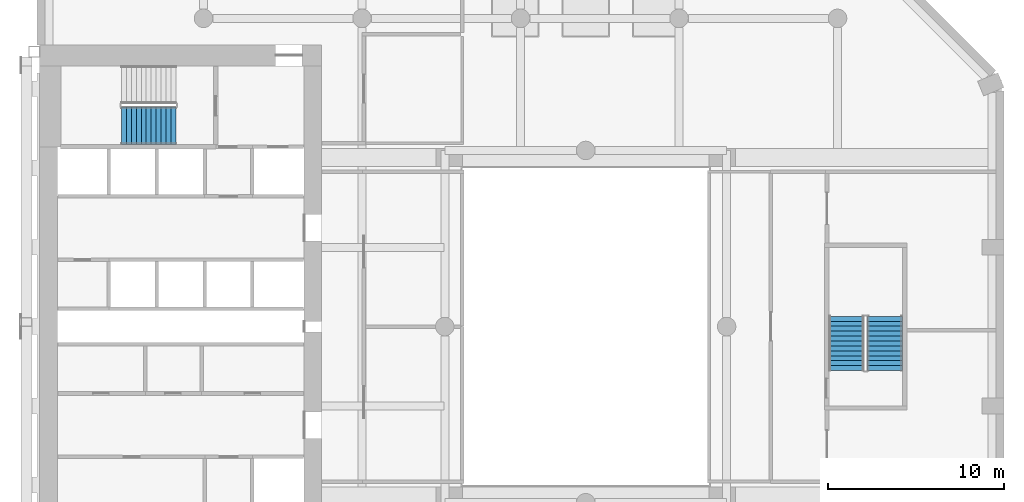
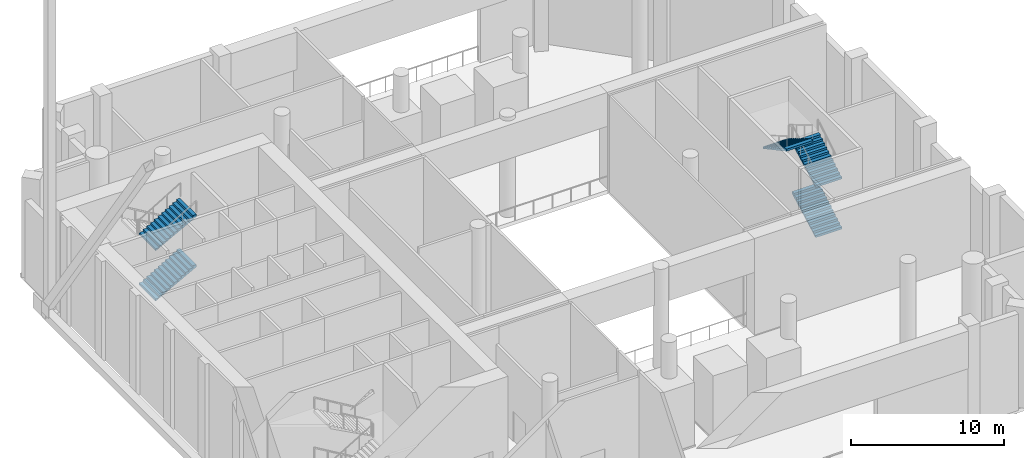
# One storey, part 9 of 14: 5 stair flights, 2 elements without a shape of their own.
"""IFC4 building model written with IfcOpenShell, lengths in metres."""

from ifc_helpers import new_model, si_unit, direction, frame, origin, place, context, subcontext, project, spatial, triangles, material, type_object, element, aggregate, save


model = new_model("IFC4")

# Units and contexts
model_context = context("Model", 3, precision=1e-05, world=origin(), true_north=direction((0.0, 1.0)))
body_context = subcontext(model_context, "Body", "Model", "MODEL_VIEW")
ifc_project = project(units=[si_unit("LENGTHUNIT", "METRE"), si_unit("AREAUNIT", "SQUARE_METRE"), si_unit("VOLUMEUNIT", "CUBIC_METRE"), si_unit("PLANEANGLEUNIT", "RADIAN"), si_unit("MASSUNIT", "GRAM", prefix="KILO")], contexts=[model_context])

# Site, building, storey
site_placement = place(None, origin())
site = spatial("IfcSite", under=ifc_project, at=site_placement, CompositionType="ELEMENT")
building_placement = place(site_placement, origin())
building = spatial("IfcBuilding", under=site, at=building_placement, Name="Cypress Arch Tower", CompositionType="ELEMENT")
storey_placement = place(building_placement, frame((0.0, 0.0, 152.5)))
storey = spatial("IfcBuildingStorey", under=building, at=storey_placement, Name="L33", CompositionType="ELEMENT", Elevation=152.5)

# Stair, stair flights
ifc_material_1 = material(Name="Concrete C40/50", Category="concrete")
stair_type_1 = type_object("IfcStairType", Name="Exit stair ES1667-200", PredefinedType="HALF_TURN_STAIR", material=ifc_material_1)
stair_1_placement = place(storey_placement, origin())
stair_1 = element("IfcStair", 1, at=stair_1_placement, inside=storey, type_object=stair_type_1, Name="L33 Exit stair C", PredefinedType="HALF_TURN_STAIR")
ifc_material_2 = material(Name="Concrete C40/50", Category="concrete")
stair_flight_type_1 = type_object("IfcStairFlightType", Name="Exit stair flight ES1667-200", PredefinedType="STRAIGHT", material=ifc_material_2)
stair_flight_1_placement = place(storey_placement, frame((18.0, -2.5, 0.0), z_axis=(0.0, 0.0, 1.0), x_axis=(0.0, 1.0, 0.0)))
stair_flight_1 = element("IfcStairFlight", 2, at=stair_flight_1_placement, type_object=stair_flight_type_1, Name="C flight 1", NumberOfRisers=12, NumberOfTreads=11, PredefinedType="STRAIGHT", RiserHeight=0.166666667, TreadLength=0.28, context=body_context, shape_type="Tessellation", body=[
    triangles([(0.0, -1.0, 0.0), (0.0, -1.0, 0.166748046875), (0.280029296875, -1.0, 0.166748046875), (0.280029296875, -1.0, 0.333251953125), (0.56005859375, -1.0, 0.333251953125), (0.56005859375, -1.0, 0.5), (0.840087890625, -1.0, 0.5), (0.840087890625, -1.0, 0.666748046875), (1.1201171875, -1.0, 0.666748046875), (1.1201171875, -1.0, 0.833251953125), (1.39990234375, -1.0, 0.833251953125), (1.39990234375, -1.0, 1.0), (1.679931640625, -1.0, 1.0), (1.679931640625, -1.0, 1.166748046875), (1.9599609375, -1.0, 1.166748046875), (1.9599609375, -1.0, 1.333251953125), (2.239990234375, -1.0, 1.333251953125), (2.239990234375, -1.0, 1.5), (2.52001953125, -1.0, 1.5), (2.52001953125, -1.0, 1.666748046875), (2.800048828125, -1.0, 1.666748046875), (2.800048828125, -1.0, 1.833251953125), (3.080078125, -1.0, 1.833251953125), (3.080078125, -1.0, 1.658935546875), (3.080078125, 1.0, 1.658935546875), (3.080078125, 1.0, 1.833251953125), (2.800048828125, 1.0, 1.833251953125), (2.800048828125, 1.0, 1.666748046875), (2.52001953125, 1.0, 1.666748046875), (2.52001953125, 1.0, 1.5), (2.239990234375, 1.0, 1.5), (2.239990234375, 1.0, 1.333251953125), (1.9599609375, 1.0, 1.333251953125), (1.9599609375, 1.0, 1.166748046875), (1.679931640625, 1.0, 1.166748046875), (1.679931640625, 1.0, 1.0), (1.39990234375, 1.0, 1.0), (1.39990234375, 1.0, 0.833251953125), (1.1201171875, 1.0, 0.833251953125), (1.1201171875, 1.0, 0.666748046875), (0.840087890625, 1.0, 0.666748046875), (0.840087890625, 1.0, 0.5), (0.56005859375, 1.0, 0.5), (0.56005859375, 1.0, 0.333251953125), (0.280029296875, 1.0, 0.333251953125), (0.280029296875, 1.0, 0.166748046875), (0.0, 1.0, 0.166748046875), (0.0, 1.0, 0.0), (3.080078125, 0.0, 1.833251953125), (3.080078125, 0.0, 1.658935546875), (2.800048828125, 0.0, 1.833251953125), (2.800048828125, 0.0, 1.666748046875), (2.52001953125, 0.0, 1.666748046875), (2.52001953125, 0.0, 1.5), (2.239990234375, 0.0, 1.5), (2.239990234375, 0.0, 1.333251953125), (1.9599609375, 0.0, 1.333251953125), (1.9599609375, 0.0, 1.166748046875), (1.679931640625, 0.0, 1.166748046875), (1.679931640625, 0.0, 1.0), (1.39990234375, 0.0, 1.0), (1.39990234375, 0.0, 0.833251953125), (1.1201171875, 0.0, 0.833251953125), (1.1201171875, 0.0, 0.666748046875), (0.840087890625, 0.0, 0.666748046875), (0.840087890625, 0.0, 0.5), (0.56005859375, 0.0, 0.5), (0.56005859375, 0.0, 0.333251953125), (0.280029296875, 0.0, 0.333251953125), (0.280029296875, 0.0, 0.166748046875), (0.0, 0.0, 0.166748046875), (0.0, 0.0, 0.0)], [[24, 23, 22], [21, 20, 19], [19, 18, 17], [15, 14, 13], [13, 12, 11], [9, 8, 7], [7, 6, 5], [3, 2, 1], [11, 10, 9], [17, 16, 15], [5, 4, 3], [24, 22, 21], [24, 21, 19], [24, 19, 17], [24, 17, 15], [24, 15, 13], [24, 13, 11], [24, 11, 9], [24, 9, 7], [24, 7, 5], [1, 24, 5], [5, 3, 1], [25, 27, 26], [28, 30, 29], [30, 32, 31], [34, 36, 35], [36, 38, 37], [40, 42, 41], [42, 44, 43], [46, 48, 47], [38, 40, 39], [32, 34, 33], [44, 46, 45], [25, 28, 27], [25, 30, 28], [25, 32, 30], [25, 34, 32], [25, 36, 34], [25, 38, 36], [25, 40, 38], [25, 42, 40], [25, 44, 42], [48, 44, 25], [44, 48, 46], [50, 49, 23], [50, 23, 24], [25, 26, 49], [25, 49, 50], [49, 51, 22], [49, 22, 23], [26, 27, 51], [26, 51, 49], [51, 52, 21], [51, 21, 22], [27, 28, 52], [27, 52, 51], [52, 53, 20], [52, 20, 21], [28, 29, 53], [28, 53, 52], [53, 54, 19], [53, 19, 20], [29, 30, 54], [29, 54, 53], [54, 55, 18], [54, 18, 19], [30, 31, 55], [30, 55, 54], [55, 56, 17], [55, 17, 18], [31, 32, 56], [31, 56, 55], [56, 57, 16], [56, 16, 17], [32, 33, 57], [32, 57, 56], [57, 58, 15], [57, 15, 16], [33, 34, 58], [33, 58, 57], [58, 59, 14], [58, 14, 15], [34, 35, 59], [34, 59, 58], [59, 60, 13], [59, 13, 14], [35, 36, 60], [35, 60, 59], [60, 61, 12], [60, 12, 13], [36, 37, 61], [36, 61, 60], [61, 62, 11], [61, 11, 12], [37, 38, 62], [37, 62, 61], [62, 63, 10], [62, 10, 11], [38, 39, 63], [38, 63, 62], [63, 64, 9], [63, 9, 10], [39, 40, 64], [39, 64, 63], [64, 65, 8], [64, 8, 9], [40, 41, 65], [40, 65, 64], [65, 66, 7], [65, 7, 8], [41, 42, 66], [41, 66, 65], [66, 67, 6], [66, 6, 7], [42, 43, 67], [42, 67, 66], [67, 68, 5], [67, 5, 6], [43, 44, 68], [43, 68, 67], [68, 69, 4], [68, 4, 5], [44, 45, 69], [44, 69, 68], [69, 70, 3], [69, 3, 4], [45, 46, 70], [45, 70, 69], [70, 71, 2], [70, 2, 3], [46, 47, 71], [46, 71, 70], [71, 72, 1], [71, 1, 2], [47, 48, 72], [47, 72, 71], [72, 50, 24], [72, 24, 1], [48, 25, 50], [48, 50, 72]], closed=True),
])
stair_flight_2_placement = place(storey_placement, frame((18.0, -2.5, 4.0), z_axis=(0.0, 0.0, 1.0), x_axis=(0.0, 1.0, 0.0)))
stair_flight_2 = element("IfcStairFlight", 3, at=stair_flight_2_placement, type_object=stair_flight_type_1, Name="C flight 3", NumberOfRisers=12, NumberOfTreads=11, PredefinedType="STRAIGHT", RiserHeight=0.166666667, TreadLength=0.28, context=body_context, shape_type="Tessellation", body=[
    triangles([(0.0, -1.0, 0.0), (0.0, -1.0, 0.166748046875), (0.280029296875, -1.0, 0.166748046875), (0.280029296875, -1.0, 0.333251953125), (0.56005859375, -1.0, 0.333251953125), (0.56005859375, -1.0, 0.5), (0.840087890625, -1.0, 0.5), (0.840087890625, -1.0, 0.666748046875), (1.1201171875, -1.0, 0.666748046875), (1.1201171875, -1.0, 0.833251953125), (1.39990234375, -1.0, 0.833251953125), (1.39990234375, -1.0, 1.0), (1.679931640625, -1.0, 1.0), (1.679931640625, -1.0, 1.166748046875), (1.9599609375, -1.0, 1.166748046875), (1.9599609375, -1.0, 1.333251953125), (2.239990234375, -1.0, 1.333251953125), (2.239990234375, -1.0, 1.5), (2.52001953125, -1.0, 1.5), (2.52001953125, -1.0, 1.666748046875), (2.800048828125, -1.0, 1.666748046875), (2.800048828125, -1.0, 1.833251953125), (3.080078125, -1.0, 1.833251953125), (3.080078125, -1.0, 1.658935546875), (3.080078125, 1.0, 1.658935546875), (3.080078125, 1.0, 1.833251953125), (2.800048828125, 1.0, 1.833251953125), (2.800048828125, 1.0, 1.666748046875), (2.52001953125, 1.0, 1.666748046875), (2.52001953125, 1.0, 1.5), (2.239990234375, 1.0, 1.5), (2.239990234375, 1.0, 1.333251953125), (1.9599609375, 1.0, 1.333251953125), (1.9599609375, 1.0, 1.166748046875), (1.679931640625, 1.0, 1.166748046875), (1.679931640625, 1.0, 1.0), (1.39990234375, 1.0, 1.0), (1.39990234375, 1.0, 0.833251953125), (1.1201171875, 1.0, 0.833251953125), (1.1201171875, 1.0, 0.666748046875), (0.840087890625, 1.0, 0.666748046875), (0.840087890625, 1.0, 0.5), (0.56005859375, 1.0, 0.5), (0.56005859375, 1.0, 0.333251953125), (0.280029296875, 1.0, 0.333251953125), (0.280029296875, 1.0, 0.166748046875), (0.0, 1.0, 0.166748046875), (0.0, 1.0, 0.0), (3.080078125, 0.0, 1.833251953125), (3.080078125, 0.0, 1.658935546875), (2.800048828125, 0.0, 1.833251953125), (2.800048828125, 0.0, 1.666748046875), (2.52001953125, 0.0, 1.666748046875), (2.52001953125, 0.0, 1.5), (2.239990234375, 0.0, 1.5), (2.239990234375, 0.0, 1.333251953125), (1.9599609375, 0.0, 1.333251953125), (1.9599609375, 0.0, 1.166748046875), (1.679931640625, 0.0, 1.166748046875), (1.679931640625, 0.0, 1.0), (1.39990234375, 0.0, 1.0), (1.39990234375, 0.0, 0.833251953125), (1.1201171875, 0.0, 0.833251953125), (1.1201171875, 0.0, 0.666748046875), (0.840087890625, 0.0, 0.666748046875), (0.840087890625, 0.0, 0.5), (0.56005859375, 0.0, 0.5), (0.56005859375, 0.0, 0.333251953125), (0.280029296875, 0.0, 0.333251953125), (0.280029296875, 0.0, 0.166748046875), (0.0, 0.0, 0.166748046875), (0.0, 0.0, 0.0)], [[24, 23, 22], [21, 20, 19], [19, 18, 17], [15, 14, 13], [13, 12, 11], [9, 8, 7], [7, 6, 5], [3, 2, 1], [11, 10, 9], [17, 16, 15], [5, 4, 3], [24, 22, 21], [24, 21, 19], [24, 19, 17], [24, 17, 15], [24, 15, 13], [24, 13, 11], [24, 11, 9], [24, 9, 7], [24, 7, 5], [1, 24, 5], [5, 3, 1], [25, 27, 26], [28, 30, 29], [30, 32, 31], [34, 36, 35], [36, 38, 37], [40, 42, 41], [42, 44, 43], [46, 48, 47], [38, 40, 39], [32, 34, 33], [44, 46, 45], [25, 28, 27], [25, 30, 28], [25, 32, 30], [25, 34, 32], [25, 36, 34], [25, 38, 36], [25, 40, 38], [25, 42, 40], [25, 44, 42], [48, 44, 25], [44, 48, 46], [50, 49, 23], [50, 23, 24], [25, 26, 49], [25, 49, 50], [49, 51, 22], [49, 22, 23], [26, 27, 51], [26, 51, 49], [51, 52, 21], [51, 21, 22], [27, 28, 52], [27, 52, 51], [52, 53, 20], [52, 20, 21], [28, 29, 53], [28, 53, 52], [53, 54, 19], [53, 19, 20], [29, 30, 54], [29, 54, 53], [54, 55, 18], [54, 18, 19], [30, 31, 55], [30, 55, 54], [55, 56, 17], [55, 17, 18], [31, 32, 56], [31, 56, 55], [56, 57, 16], [56, 16, 17], [32, 33, 57], [32, 57, 56], [57, 58, 15], [57, 15, 16], [33, 34, 58], [33, 58, 57], [58, 59, 14], [58, 14, 15], [34, 35, 59], [34, 59, 58], [59, 60, 13], [59, 13, 14], [35, 36, 60], [35, 60, 59], [60, 61, 12], [60, 12, 13], [36, 37, 61], [36, 61, 60], [61, 62, 11], [61, 11, 12], [37, 38, 62], [37, 62, 61], [62, 63, 10], [62, 10, 11], [38, 39, 63], [38, 63, 62], [63, 64, 9], [63, 9, 10], [39, 40, 64], [39, 64, 63], [64, 65, 8], [64, 8, 9], [40, 41, 65], [40, 65, 64], [65, 66, 7], [65, 7, 8], [41, 42, 66], [41, 66, 65], [66, 67, 6], [66, 6, 7], [42, 43, 67], [42, 67, 66], [67, 68, 5], [67, 5, 6], [43, 44, 68], [43, 68, 67], [68, 69, 4], [68, 4, 5], [44, 45, 69], [44, 69, 68], [69, 70, 3], [69, 3, 4], [45, 46, 70], [45, 70, 69], [70, 71, 2], [70, 2, 3], [46, 47, 71], [46, 71, 70], [71, 72, 1], [71, 1, 2], [47, 48, 72], [47, 72, 71], [72, 50, 24], [72, 24, 1], [48, 25, 50], [48, 50, 72]], closed=True),
])
stair_flight_3_placement = place(storey_placement, frame((15.800048828125, 0.580078125, 6.0), z_axis=(0.0, 0.0, 1.0), x_axis=(0.0, -1.0, 0.0)))
stair_flight_3 = element("IfcStairFlight", 4, at=stair_flight_3_placement, type_object=stair_flight_type_1, Name="C flight 4", NumberOfRisers=12, NumberOfTreads=11, PredefinedType="STRAIGHT", RiserHeight=0.166666667, TreadLength=0.28, context=body_context, shape_type="Tessellation", body=[
    triangles([(0.0, -1.0, 0.0), (0.0, -1.0, 0.166748046875), (0.280029296875, -1.0, 0.166748046875), (0.280029296875, -1.0, 0.333251953125), (0.56005859375, -1.0, 0.333251953125), (0.56005859375, -1.0, 0.5), (0.840087890625, -1.0, 0.5), (0.840087890625, -1.0, 0.666748046875), (1.1201171875, -1.0, 0.666748046875), (1.1201171875, -1.0, 0.833251953125), (1.39990234375, -1.0, 0.833251953125), (1.39990234375, -1.0, 1.0), (1.679931640625, -1.0, 1.0), (1.679931640625, -1.0, 1.166748046875), (1.9599609375, -1.0, 1.166748046875), (1.9599609375, -1.0, 1.333251953125), (2.239990234375, -1.0, 1.333251953125), (2.239990234375, -1.0, 1.5), (2.52001953125, -1.0, 1.5), (2.52001953125, -1.0, 1.666748046875), (2.800048828125, -1.0, 1.666748046875), (2.800048828125, -1.0, 1.833251953125), (3.080078125, -1.0, 1.833251953125), (3.080078125, -1.0, 1.658935546875), (3.080078125, 1.0, 1.658935546875), (3.080078125, 1.0, 1.833251953125), (2.800048828125, 1.0, 1.833251953125), (2.800048828125, 1.0, 1.666748046875), (2.52001953125, 1.0, 1.666748046875), (2.52001953125, 1.0, 1.5), (2.239990234375, 1.0, 1.5), (2.239990234375, 1.0, 1.333251953125), (1.9599609375, 1.0, 1.333251953125), (1.9599609375, 1.0, 1.166748046875), (1.679931640625, 1.0, 1.166748046875), (1.679931640625, 1.0, 1.0), (1.39990234375, 1.0, 1.0), (1.39990234375, 1.0, 0.833251953125), (1.1201171875, 1.0, 0.833251953125), (1.1201171875, 1.0, 0.666748046875), (0.840087890625, 1.0, 0.666748046875), (0.840087890625, 1.0, 0.5), (0.56005859375, 1.0, 0.5), (0.56005859375, 1.0, 0.333251953125), (0.280029296875, 1.0, 0.333251953125), (0.280029296875, 1.0, 0.166748046875), (0.0, 1.0, 0.166748046875), (0.0, 1.0, 0.0), (3.080078125, 0.0, 1.833251953125), (3.080078125, 0.0, 1.658935546875), (2.800048828125, 0.0, 1.833251953125), (2.800048828125, 0.0, 1.666748046875), (2.52001953125, 0.0, 1.666748046875), (2.52001953125, 0.0, 1.5), (2.239990234375, 0.0, 1.5), (2.239990234375, 0.0, 1.333251953125), (1.9599609375, 0.0, 1.333251953125), (1.9599609375, 0.0, 1.166748046875), (1.679931640625, 0.0, 1.166748046875), (1.679931640625, 0.0, 1.0), (1.39990234375, 0.0, 1.0), (1.39990234375, 0.0, 0.833251953125), (1.1201171875, 0.0, 0.833251953125), (1.1201171875, 0.0, 0.666748046875), (0.840087890625, 0.0, 0.666748046875), (0.840087890625, 0.0, 0.5), (0.56005859375, 0.0, 0.5), (0.56005859375, 0.0, 0.333251953125), (0.280029296875, 0.0, 0.333251953125), (0.280029296875, 0.0, 0.166748046875), (0.0, 0.0, 0.166748046875), (0.0, 0.0, 0.0)], [[24, 23, 22], [21, 20, 19], [19, 18, 17], [15, 14, 13], [13, 12, 11], [9, 8, 7], [7, 6, 5], [3, 2, 1], [11, 10, 9], [17, 16, 15], [5, 4, 3], [24, 22, 21], [24, 21, 19], [24, 19, 17], [24, 17, 15], [24, 15, 13], [24, 13, 11], [24, 11, 9], [24, 9, 7], [24, 7, 5], [1, 24, 5], [5, 3, 1], [25, 27, 26], [28, 30, 29], [30, 32, 31], [34, 36, 35], [36, 38, 37], [40, 42, 41], [42, 44, 43], [46, 48, 47], [38, 40, 39], [32, 34, 33], [44, 46, 45], [25, 28, 27], [25, 30, 28], [25, 32, 30], [25, 34, 32], [25, 36, 34], [25, 38, 36], [25, 40, 38], [25, 42, 40], [25, 44, 42], [48, 44, 25], [44, 48, 46], [50, 49, 23], [50, 23, 24], [25, 26, 49], [25, 49, 50], [49, 51, 22], [49, 22, 23], [26, 27, 51], [26, 51, 49], [51, 52, 21], [51, 21, 22], [27, 28, 52], [27, 52, 51], [52, 53, 20], [52, 20, 21], [28, 29, 53], [28, 53, 52], [53, 54, 19], [53, 19, 20], [29, 30, 54], [29, 54, 53], [54, 55, 18], [54, 18, 19], [30, 31, 55], [30, 55, 54], [55, 56, 17], [55, 17, 18], [31, 32, 56], [31, 56, 55], [56, 57, 16], [56, 16, 17], [32, 33, 57], [32, 57, 56], [57, 58, 15], [57, 15, 16], [33, 34, 58], [33, 58, 57], [58, 59, 14], [58, 14, 15], [34, 35, 59], [34, 59, 58], [59, 60, 13], [59, 13, 14], [35, 36, 60], [35, 60, 59], [60, 61, 12], [60, 12, 13], [36, 37, 61], [36, 61, 60], [61, 62, 11], [61, 11, 12], [37, 38, 62], [37, 62, 61], [62, 63, 10], [62, 10, 11], [38, 39, 63], [38, 63, 62], [63, 64, 9], [63, 9, 10], [39, 40, 64], [39, 64, 63], [64, 65, 8], [64, 8, 9], [40, 41, 65], [40, 65, 64], [65, 66, 7], [65, 7, 8], [41, 42, 66], [41, 66, 65], [66, 67, 6], [66, 6, 7], [42, 43, 67], [42, 67, 66], [67, 68, 5], [67, 5, 6], [43, 44, 68], [43, 68, 67], [68, 69, 4], [68, 4, 5], [44, 45, 69], [44, 69, 68], [69, 70, 3], [69, 3, 4], [45, 46, 70], [45, 70, 69], [70, 71, 2], [70, 2, 3], [46, 47, 71], [46, 71, 70], [71, 72, 1], [71, 1, 2], [47, 48, 72], [47, 72, 71], [72, 50, 24], [72, 24, 1], [48, 25, 50], [48, 50, 72]], closed=True),
])
aggregate(stair_1, [stair_flight_1, stair_flight_2, stair_flight_3])

ifc_material_3 = material(Name="Concrete C40/50", Category="concrete")
stair_type_2 = type_object("IfcStairType", Name="Exit stair ES1667-215", PredefinedType="HALF_TURN_STAIR", material=ifc_material_3)
stair_2_placement = place(storey_placement, origin())
stair_2 = element("IfcStair", 5, at=stair_2_placement, inside=storey, type_object=stair_type_2, Name="L33 Exit stair B", PredefinedType="HALF_TURN_STAIR")
ifc_material_4 = material(Name="Concrete C40/50", Category="concrete")
stair_flight_type_2 = type_object("IfcStairFlightType", Name="Exit stair flight ES1667-215", PredefinedType="STRAIGHT", material=ifc_material_4)
stair_flight_4_placement = place(storey_placement, frame((-25.35498046875, 11.39990234375, 2.0), z_axis=(0.0, 0.0, 1.0), x_axis=(1.0, 0.0, 0.0)))
stair_flight_4 = element("IfcStairFlight", 6, at=stair_flight_4_placement, type_object=stair_flight_type_2, Name="B flight 2", NumberOfRisers=12, NumberOfTreads=11, PredefinedType="STRAIGHT", RiserHeight=0.166666667, TreadLength=0.28, context=body_context, shape_type="Tessellation", body=[
    triangles([(0.0, -1.074951171875, 0.0), (0.000244140625, -1.074951171875, 0.0185546875), (0.000244140625, -1.074951171875, 0.037109375), (0.00048828125, -1.074951171875, 0.0556640625), (0.00048828125, -1.074951171875, 0.07421875), (0.00048828125, -1.074951171875, 0.092529296875), (0.00048828125, -1.074951171875, 0.111083984375), (0.000244140625, -1.074951171875, 0.129638671875), (0.000244140625, -1.074951171875, 0.148193359375), (0.0, -1.074951171875, 0.166748046875), (0.280029296875, -1.074951171875, 0.166748046875), (0.280029296875, -1.074951171875, 0.333251953125), (0.56005859375, -1.074951171875, 0.333251953125), (0.56005859375, -1.074951171875, 0.5), (0.840087890625, -1.074951171875, 0.5), (0.840087890625, -1.074951171875, 0.666748046875), (1.1201171875, -1.074951171875, 0.666748046875), (1.1201171875, -1.074951171875, 0.833251953125), (1.39990234375, -1.074951171875, 0.833251953125), (1.39990234375, -1.074951171875, 1.0), (1.679931640625, -1.074951171875, 1.0), (1.679931640625, -1.074951171875, 1.166748046875), (1.9599609375, -1.074951171875, 1.166748046875), (1.9599609375, -1.074951171875, 1.333251953125), (2.239990234375, -1.074951171875, 1.333251953125), (2.239990234375, -1.074951171875, 1.5), (2.52001953125, -1.074951171875, 1.5), (2.52001953125, -1.074951171875, 1.666748046875), (2.800048828125, -1.074951171875, 1.666748046875), (2.800048828125, -1.074951171875, 1.833251953125), (3.080078125, -1.074951171875, 1.833251953125), (3.079833984375, -1.074951171875, 1.81396484375), (3.079833984375, -1.074951171875, 1.79443359375), (3.07958984375, -1.074951171875, 1.775146484375), (3.07958984375, -1.074951171875, 1.755859375), (3.07958984375, -1.074951171875, 1.736328125), (3.07958984375, -1.074951171875, 1.717041015625), (3.079833984375, -1.074951171875, 1.69775390625), (3.079833984375, -1.074951171875, 1.67822265625), (3.080078125, -1.074951171875, 1.658935546875), (3.080078125, 1.074951171875, 1.658935546875), (3.079833984375, 1.074951171875, 1.67822265625), (3.079833984375, 1.074951171875, 1.69775390625), (3.07958984375, 1.074951171875, 1.717041015625), (3.07958984375, 1.074951171875, 1.736328125), (3.07958984375, 1.074951171875, 1.755859375), (3.07958984375, 1.074951171875, 1.775146484375), (3.079833984375, 1.074951171875, 1.79443359375), (3.079833984375, 1.074951171875, 1.81396484375), (3.080078125, 1.074951171875, 1.833251953125), (2.800048828125, 1.074951171875, 1.833251953125), (2.800048828125, 1.074951171875, 1.666748046875), (2.52001953125, 1.074951171875, 1.666748046875), (2.52001953125, 1.074951171875, 1.5), (2.239990234375, 1.074951171875, 1.5), (2.239990234375, 1.074951171875, 1.333251953125), (1.9599609375, 1.074951171875, 1.333251953125), (1.9599609375, 1.074951171875, 1.166748046875), (1.679931640625, 1.074951171875, 1.166748046875), (1.679931640625, 1.074951171875, 1.0), (1.39990234375, 1.074951171875, 1.0), (1.39990234375, 1.074951171875, 0.833251953125), (1.1201171875, 1.074951171875, 0.833251953125), (1.1201171875, 1.074951171875, 0.666748046875), (0.840087890625, 1.074951171875, 0.666748046875), (0.840087890625, 1.074951171875, 0.5), (0.56005859375, 1.074951171875, 0.5), (0.56005859375, 1.074951171875, 0.333251953125), (0.280029296875, 1.074951171875, 0.333251953125), (0.280029296875, 1.074951171875, 0.166748046875), (0.0, 1.074951171875, 0.166748046875), (0.000244140625, 1.074951171875, 0.148193359375), (0.000244140625, 1.074951171875, 0.129638671875), (0.00048828125, 1.074951171875, 0.111083984375), (0.00048828125, 1.074951171875, 0.092529296875), (0.00048828125, 1.074951171875, 0.07421875), (0.00048828125, 1.074951171875, 0.0556640625), (0.000244140625, 1.074951171875, 0.037109375), (0.000244140625, 1.074951171875, 0.0185546875), (0.0, 1.074951171875, 0.0)], [[40, 39, 30], [39, 38, 30], [38, 37, 30], [37, 36, 30], [36, 35, 30], [35, 34, 30], [34, 33, 30], [33, 32, 30], [32, 31, 30], [29, 28, 27], [27, 26, 25], [23, 22, 21], [21, 20, 19], [17, 16, 15], [15, 14, 13], [10, 9, 11], [9, 8, 11], [8, 7, 11], [7, 6, 11], [6, 5, 11], [5, 4, 11], [4, 3, 11], [3, 2, 11], [2, 1, 11], [19, 18, 17], [25, 24, 23], [13, 12, 11], [40, 30, 29], [40, 29, 27], [40, 27, 25], [40, 25, 23], [40, 23, 21], [40, 21, 19], [40, 19, 17], [40, 17, 15], [40, 15, 13], [1, 40, 13], [13, 11, 1], [41, 51, 42], [42, 51, 43], [43, 51, 44], [44, 51, 45], [45, 51, 46], [46, 51, 47], [47, 51, 48], [48, 51, 49], [49, 51, 50], [52, 54, 53], [54, 56, 55], [58, 60, 59], [60, 62, 61], [64, 66, 65], [66, 68, 67], [71, 70, 72], [72, 70, 73], [73, 70, 74], [74, 70, 75], [75, 70, 76], [76, 70, 77], [77, 70, 78], [78, 70, 79], [79, 70, 80], [62, 64, 63], [56, 58, 57], [68, 70, 69], [41, 52, 51], [41, 54, 52], [41, 56, 54], [41, 58, 56], [41, 60, 58], [41, 62, 60], [41, 64, 62], [41, 66, 64], [41, 68, 66], [80, 68, 41], [68, 80, 70], [41, 42, 39], [41, 39, 40], [42, 43, 38], [42, 38, 39], [43, 44, 37], [43, 37, 38], [44, 45, 36], [44, 36, 37], [45, 46, 35], [45, 35, 36], [46, 47, 34], [46, 34, 35], [47, 48, 33], [47, 33, 34], [48, 49, 32], [48, 32, 33], [49, 50, 31], [49, 31, 32], [50, 51, 30], [50, 30, 31], [51, 52, 29], [51, 29, 30], [52, 53, 28], [52, 28, 29], [53, 54, 27], [53, 27, 28], [54, 55, 26], [54, 26, 27], [55, 56, 25], [55, 25, 26], [56, 57, 24], [56, 24, 25], [57, 58, 23], [57, 23, 24], [58, 59, 22], [58, 22, 23], [59, 60, 21], [59, 21, 22], [60, 61, 20], [60, 20, 21], [61, 62, 19], [61, 19, 20], [62, 63, 18], [62, 18, 19], [63, 64, 17], [63, 17, 18], [64, 65, 16], [64, 16, 17], [65, 66, 15], [65, 15, 16], [66, 67, 14], [66, 14, 15], [67, 68, 13], [67, 13, 14], [68, 69, 12], [68, 12, 13], [69, 70, 11], [69, 11, 12], [70, 71, 10], [70, 10, 11], [71, 72, 9], [71, 9, 10], [72, 73, 8], [72, 8, 9], [73, 74, 7], [73, 7, 8], [74, 75, 6], [74, 6, 7], [75, 76, 5], [75, 5, 6], [76, 77, 4], [76, 4, 5], [77, 78, 3], [77, 3, 4], [78, 79, 2], [78, 2, 3], [79, 80, 1], [79, 1, 2], [80, 41, 40], [80, 40, 1]], closed=True),
])
stair_flight_5_placement = place(storey_placement, frame((-25.35498046875, 11.39990234375, 6.0), z_axis=(0.0, 0.0, 1.0), x_axis=(1.0, 0.0, 0.0)))
stair_flight_5 = element("IfcStairFlight", 7, at=stair_flight_5_placement, type_object=stair_flight_type_2, Name="B flight 4", NumberOfRisers=12, NumberOfTreads=11, PredefinedType="STRAIGHT", RiserHeight=0.166666667, TreadLength=0.28, context=body_context, shape_type="Tessellation", body=[
    triangles([(0.0, -1.074951171875, 0.0), (0.000244140625, -1.074951171875, 0.0185546875), (0.000244140625, -1.074951171875, 0.037109375), (0.00048828125, -1.074951171875, 0.0556640625), (0.00048828125, -1.074951171875, 0.07421875), (0.00048828125, -1.074951171875, 0.092529296875), (0.00048828125, -1.074951171875, 0.111083984375), (0.000244140625, -1.074951171875, 0.129638671875), (0.000244140625, -1.074951171875, 0.148193359375), (0.0, -1.074951171875, 0.166748046875), (0.280029296875, -1.074951171875, 0.166748046875), (0.280029296875, -1.074951171875, 0.333251953125), (0.56005859375, -1.074951171875, 0.333251953125), (0.56005859375, -1.074951171875, 0.5), (0.840087890625, -1.074951171875, 0.5), (0.840087890625, -1.074951171875, 0.666748046875), (1.1201171875, -1.074951171875, 0.666748046875), (1.1201171875, -1.074951171875, 0.833251953125), (1.39990234375, -1.074951171875, 0.833251953125), (1.39990234375, -1.074951171875, 1.0), (1.679931640625, -1.074951171875, 1.0), (1.679931640625, -1.074951171875, 1.166748046875), (1.9599609375, -1.074951171875, 1.166748046875), (1.9599609375, -1.074951171875, 1.333251953125), (2.239990234375, -1.074951171875, 1.333251953125), (2.239990234375, -1.074951171875, 1.5), (2.52001953125, -1.074951171875, 1.5), (2.52001953125, -1.074951171875, 1.666748046875), (2.800048828125, -1.074951171875, 1.666748046875), (2.800048828125, -1.074951171875, 1.833251953125), (3.080078125, -1.074951171875, 1.833251953125), (3.079833984375, -1.074951171875, 1.81396484375), (3.079833984375, -1.074951171875, 1.79443359375), (3.07958984375, -1.074951171875, 1.775146484375), (3.07958984375, -1.074951171875, 1.755859375), (3.07958984375, -1.074951171875, 1.736328125), (3.07958984375, -1.074951171875, 1.717041015625), (3.079833984375, -1.074951171875, 1.69775390625), (3.079833984375, -1.074951171875, 1.67822265625), (3.080078125, -1.074951171875, 1.658935546875), (3.080078125, 1.074951171875, 1.658935546875), (3.079833984375, 1.074951171875, 1.67822265625), (3.079833984375, 1.074951171875, 1.69775390625), (3.07958984375, 1.074951171875, 1.717041015625), (3.07958984375, 1.074951171875, 1.736328125), (3.07958984375, 1.074951171875, 1.755859375), (3.07958984375, 1.074951171875, 1.775146484375), (3.079833984375, 1.074951171875, 1.79443359375), (3.079833984375, 1.074951171875, 1.81396484375), (3.080078125, 1.074951171875, 1.833251953125), (2.800048828125, 1.074951171875, 1.833251953125), (2.800048828125, 1.074951171875, 1.666748046875), (2.52001953125, 1.074951171875, 1.666748046875), (2.52001953125, 1.074951171875, 1.5), (2.239990234375, 1.074951171875, 1.5), (2.239990234375, 1.074951171875, 1.333251953125), (1.9599609375, 1.074951171875, 1.333251953125), (1.9599609375, 1.074951171875, 1.166748046875), (1.679931640625, 1.074951171875, 1.166748046875), (1.679931640625, 1.074951171875, 1.0), (1.39990234375, 1.074951171875, 1.0), (1.39990234375, 1.074951171875, 0.833251953125), (1.1201171875, 1.074951171875, 0.833251953125), (1.1201171875, 1.074951171875, 0.666748046875), (0.840087890625, 1.074951171875, 0.666748046875), (0.840087890625, 1.074951171875, 0.5), (0.56005859375, 1.074951171875, 0.5), (0.56005859375, 1.074951171875, 0.333251953125), (0.280029296875, 1.074951171875, 0.333251953125), (0.280029296875, 1.074951171875, 0.166748046875), (0.0, 1.074951171875, 0.166748046875), (0.000244140625, 1.074951171875, 0.148193359375), (0.000244140625, 1.074951171875, 0.129638671875), (0.00048828125, 1.074951171875, 0.111083984375), (0.00048828125, 1.074951171875, 0.092529296875), (0.00048828125, 1.074951171875, 0.07421875), (0.00048828125, 1.074951171875, 0.0556640625), (0.000244140625, 1.074951171875, 0.037109375), (0.000244140625, 1.074951171875, 0.0185546875), (0.0, 1.074951171875, 0.0)], [[40, 39, 30], [39, 38, 30], [38, 37, 30], [37, 36, 30], [36, 35, 30], [35, 34, 30], [34, 33, 30], [33, 32, 30], [32, 31, 30], [29, 28, 27], [27, 26, 25], [23, 22, 21], [21, 20, 19], [17, 16, 15], [15, 14, 13], [10, 9, 11], [9, 8, 11], [8, 7, 11], [7, 6, 11], [6, 5, 11], [5, 4, 11], [4, 3, 11], [3, 2, 11], [2, 1, 11], [19, 18, 17], [25, 24, 23], [13, 12, 11], [40, 30, 29], [40, 29, 27], [40, 27, 25], [40, 25, 23], [40, 23, 21], [40, 21, 19], [40, 19, 17], [40, 17, 15], [40, 15, 13], [1, 40, 13], [13, 11, 1], [41, 51, 42], [42, 51, 43], [43, 51, 44], [44, 51, 45], [45, 51, 46], [46, 51, 47], [47, 51, 48], [48, 51, 49], [49, 51, 50], [52, 54, 53], [54, 56, 55], [58, 60, 59], [60, 62, 61], [64, 66, 65], [66, 68, 67], [71, 70, 72], [72, 70, 73], [73, 70, 74], [74, 70, 75], [75, 70, 76], [76, 70, 77], [77, 70, 78], [78, 70, 79], [79, 70, 80], [62, 64, 63], [56, 58, 57], [68, 70, 69], [41, 52, 51], [41, 54, 52], [41, 56, 54], [41, 58, 56], [41, 60, 58], [41, 62, 60], [41, 64, 62], [41, 66, 64], [41, 68, 66], [80, 68, 41], [68, 80, 70], [41, 42, 39], [41, 39, 40], [42, 43, 38], [42, 38, 39], [43, 44, 37], [43, 37, 38], [44, 45, 36], [44, 36, 37], [45, 46, 35], [45, 35, 36], [46, 47, 34], [46, 34, 35], [47, 48, 33], [47, 33, 34], [48, 49, 32], [48, 32, 33], [49, 50, 31], [49, 31, 32], [50, 51, 30], [50, 30, 31], [51, 52, 29], [51, 29, 30], [52, 53, 28], [52, 28, 29], [53, 54, 27], [53, 27, 28], [54, 55, 26], [54, 26, 27], [55, 56, 25], [55, 25, 26], [56, 57, 24], [56, 24, 25], [57, 58, 23], [57, 23, 24], [58, 59, 22], [58, 22, 23], [59, 60, 21], [59, 21, 22], [60, 61, 20], [60, 20, 21], [61, 62, 19], [61, 19, 20], [62, 63, 18], [62, 18, 19], [63, 64, 17], [63, 17, 18], [64, 65, 16], [64, 16, 17], [65, 66, 15], [65, 15, 16], [66, 67, 14], [66, 14, 15], [67, 68, 13], [67, 13, 14], [68, 69, 12], [68, 12, 13], [69, 70, 11], [69, 11, 12], [70, 71, 10], [70, 10, 11], [71, 72, 9], [71, 9, 10], [72, 73, 8], [72, 8, 9], [73, 74, 7], [73, 7, 8], [74, 75, 6], [74, 6, 7], [75, 76, 5], [75, 5, 6], [76, 77, 4], [76, 4, 5], [77, 78, 3], [77, 3, 4], [78, 79, 2], [78, 2, 3], [79, 80, 1], [79, 1, 2], [80, 41, 40], [80, 40, 1]], closed=True),
])
aggregate(stair_2, [stair_flight_4, stair_flight_5])

save(model, "model.ifc")
